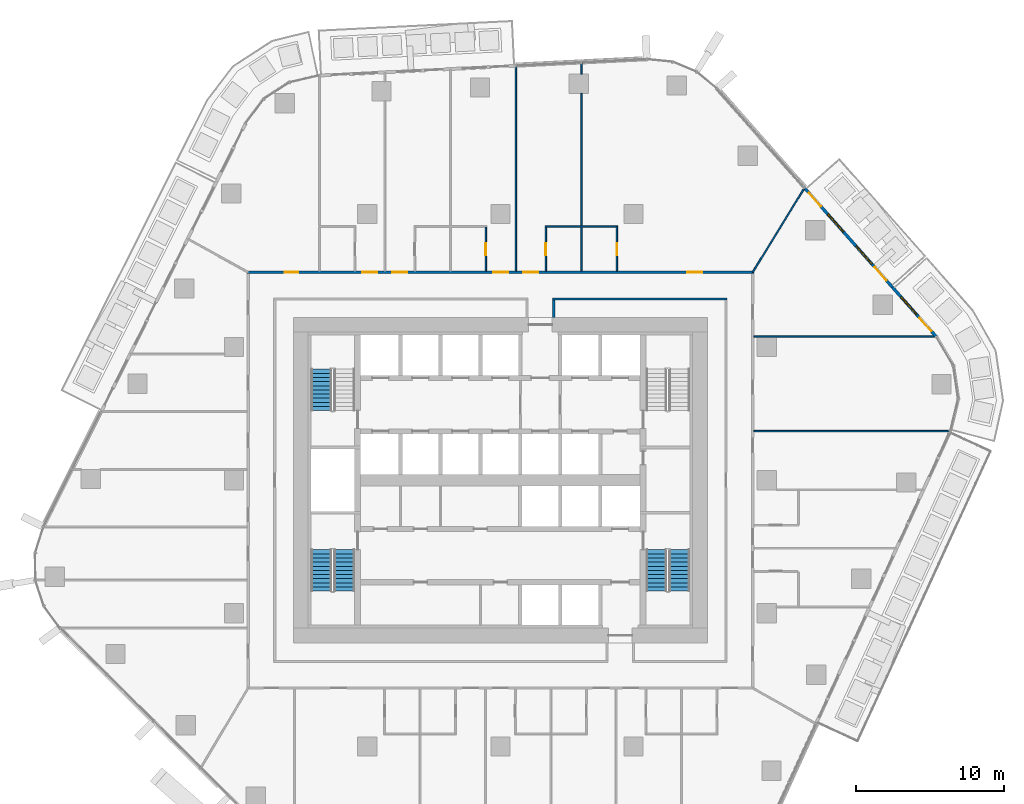
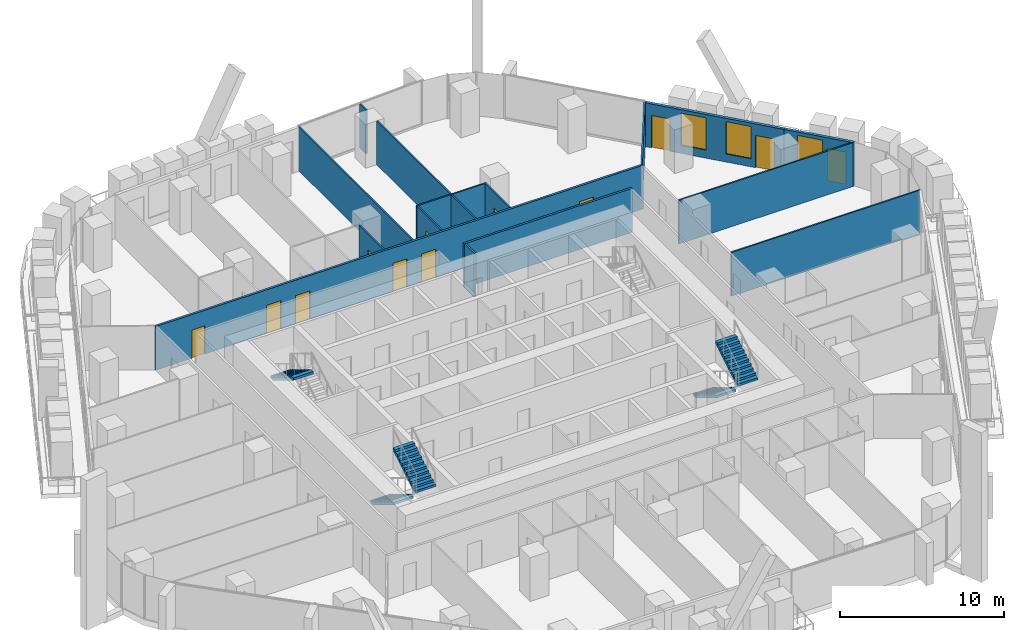
# One storey, part 18 of 26: 16 walls, 12 doors, 5 stair flights, 3 windows, 15 openings, 3 elements without a shape of their own.
"""IFC4 building model written with IfcOpenShell, lengths in metres."""

from ifc_helpers import new_model, si_unit, direction, frame, frame_2d, origin, place, context, subcontext, project, spatial, polyline, rectangle, outline, extrude, material, layer, layer_set, type_object, element, fill, aggregate, save


model = new_model("IFC4")

# Units and contexts
model_context = context("Model", 3, precision=1e-05, world=origin(), true_north=direction((0.0, 1.0)))
body_context = subcontext(model_context, "Body", "Model", "MODEL_VIEW")
ifc_project = project(units=[si_unit("LENGTHUNIT", "METRE"), si_unit("AREAUNIT", "SQUARE_METRE"), si_unit("VOLUMEUNIT", "CUBIC_METRE"), si_unit("PLANEANGLEUNIT", "RADIAN"), si_unit("MASSUNIT", "GRAM", prefix="KILO")], contexts=[model_context])

# Site, building, storey
site_placement = place(None, origin())
site = spatial("IfcSite", under=ifc_project, at=site_placement, CompositionType="ELEMENT")
building_placement = place(site_placement, origin())
building = spatial("IfcBuilding", under=site, at=building_placement, Name="Dongbaek Canopy Tower", CompositionType="ELEMENT")
storey_placement = place(building_placement, frame((0.0, 0.0, 95.199951171875)))
storey = spatial("IfcBuildingStorey", under=building, at=storey_placement, Name="L19", CompositionType="ELEMENT", Elevation=95.199951171875)

# Wall
ifc_material_1 = material(Name="Gypsum board partition, steel stud, 2 x 15 mm fire board", Category="steel")
ifc_layer_1 = layer(ifc_material_1, 0.14990234375)
ifc_layer_set_1 = layer_set([ifc_layer_1], Name="Fire-rated partition 150 gypsum board")
wall_type_1 = type_object("IfcWallType", Name="Fire-rated partition 150 gypsum board", PredefinedType="PARTITIONING", material=ifc_layer_set_1)
wall_1_placement = place(storey_placement, frame((3.52490234375, 12.25, 0.0), z_axis=(0.0, 0.0, 1.0), x_axis=(1.0, 0.0, 0.0)))
element("IfcWall", 1, at=wall_1_placement, inside=storey, type_object=wall_type_1, Name="Corridor partition", PredefinedType="PARTITIONING", context=body_context, shape_type="SweptSolid", body=[
    extrude(rectangle(XDim=11.800048828125, YDim=0.14990234375, at=frame_2d((5.89990234375, 0.0))), origin(), (0.0, 0.0, 1.0), 3.25),
])

# Wall, openings, doors
wall_2_placement = place(storey_placement, frame((-17.125, 14.050048828125, 0.0), z_axis=(0.0, 0.0, 1.0), x_axis=(1.0, 0.0, 0.0)))
wall_2 = element("IfcWall", 2, at=wall_2_placement, inside=storey, type_object=wall_type_1, Name="Corridor partition", PredefinedType="PARTITIONING", context=body_context, shape_type="SweptSolid", body=[
    extrude(rectangle(XDim=34.25, YDim=0.14990234375, at=frame_2d((17.125, 0.0))), origin(), (0.0, 0.0, 1.0), 3.25),
])
opening_1_placement = place(wall_2_placement, frame((29.757080078125, 0.0, 0.0)))
opening_1 = element("IfcOpeningElement", 3, at=opening_1_placement, cuts=wall_2, Name="Opening L19-D026", PredefinedType="OPENING", context=body_context, shape_type="SweptSolid", body=[
    extrude(rectangle(XDim=1.0, YDim=2.10009765625, at=frame_2d((0.5, 1.050048828125))), frame((0.0, 0.0849609375, 0.0), z_axis=(0.0, -1.0, 0.0), x_axis=(1.0, 0.0, 0.0)), (0.0, 0.0, 1.0), 0.169921875),
])
opening_2_placement = place(wall_2_placement, frame((18.68212890625, 0.0, 0.0)))
opening_2 = element("IfcOpeningElement", 4, at=opening_2_placement, cuts=wall_2, Name="Opening L19-D028", PredefinedType="OPENING", context=body_context, shape_type="SweptSolid", body=[
    extrude(rectangle(XDim=1.0, YDim=2.10009765625, at=frame_2d((0.5, 1.050048828125))), frame((0.0, 0.0849609375, 0.0), z_axis=(0.0, -1.0, 0.0), x_axis=(1.0, 0.0, 0.0)), (0.0, 0.0, 1.0), 0.169921875),
])
opening_3_placement = place(wall_2_placement, frame((16.65380859375, 0.0, 0.0)))
opening_3 = element("IfcOpeningElement", 5, at=opening_3_placement, cuts=wall_2, Name="Opening L19-D030", PredefinedType="OPENING", context=body_context, shape_type="SweptSolid", body=[
    extrude(rectangle(XDim=1.0, YDim=2.10009765625, at=frame_2d((0.5, 1.050048828125))), frame((0.0, 0.0849609375, 0.0), z_axis=(0.0, -1.0, 0.0), x_axis=(1.0, 0.0, 0.0)), (0.0, 0.0, 1.0), 0.169921875),
])
opening_4_placement = place(wall_2_placement, frame((9.8271484375, 0.0, 0.0)))
opening_4 = element("IfcOpeningElement", 6, at=opening_4_placement, cuts=wall_2, Name="Opening L19-D032", PredefinedType="OPENING", context=body_context, shape_type="SweptSolid", body=[
    extrude(rectangle(XDim=1.0, YDim=2.10009765625, at=frame_2d((0.5, 1.050048828125))), frame((0.0, 0.0849609375, 0.0), z_axis=(0.0, -1.0, 0.0), x_axis=(1.0, 0.0, 0.0)), (0.0, 0.0, 1.0), 0.169921875),
])
opening_5_placement = place(wall_2_placement, frame((7.80029296875, 0.0, 0.0)))
opening_5 = element("IfcOpeningElement", 7, at=opening_5_placement, cuts=wall_2, Name="Opening L19-D034", PredefinedType="OPENING", context=body_context, shape_type="SweptSolid", body=[
    extrude(rectangle(XDim=1.0, YDim=2.10009765625, at=frame_2d((0.5, 1.050048828125))), frame((0.0, 0.0849609375, 0.0), z_axis=(0.0, -1.0, 0.0), x_axis=(1.0, 0.0, 0.0)), (0.0, 0.0, 1.0), 0.169921875),
])
opening_6_placement = place(wall_2_placement, frame((2.5595703125, 0.0, 0.0)))
opening_6 = element("IfcOpeningElement", 8, at=opening_6_placement, cuts=wall_2, Name="Opening L19-D035", PredefinedType="OPENING", context=body_context, shape_type="SweptSolid", body=[
    extrude(rectangle(XDim=0.89990234375, YDim=2.10009765625, at=frame_2d((0.449951171875, 1.050048828125))), frame((0.0, 0.0849609375, 0.0), z_axis=(0.0, -1.0, 0.0), x_axis=(1.0, 0.0, 0.0)), (0.0, 0.0, 1.0), 0.169921875),
])
ifc_material_2 = material(Name="Timber veneered door leaf", Category="wood")
door_type_1 = type_object("IfcDoorType", Name="Guest room door 1000 x 2100", OperationType="SINGLE_SWING_LEFT", PredefinedType="DOOR", material=ifc_material_2)
door_1_placement = place(opening_1_placement, origin())
door_1 = element("IfcDoor", 9, at=door_1_placement, inside=storey, type_object=door_type_1, Name="Door L19-D026", OperationType="SINGLE_SWING_LEFT", OverallHeight=2.10009765625, OverallWidth=1.0, PredefinedType="DOOR", context=body_context, shape_type="SweptSolid", body=[
    extrude(rectangle(XDim=1.0, YDim=2.10009765625, at=frame_2d((0.5, 1.050048828125))), frame((0.0, 0.02490234375, 0.0), z_axis=(0.0, -1.0, 0.0), x_axis=(1.0, 0.0, 0.0)), (0.0, 0.0, 1.0), 0.050048828125),
])
fill(opening_1, door_1)
door_2_placement = place(opening_2_placement, origin())
door_2 = element("IfcDoor", 10, at=door_2_placement, inside=storey, type_object=door_type_1, Name="Door L19-D028", OperationType="SINGLE_SWING_RIGHT", OverallHeight=2.10009765625, OverallWidth=1.0, PredefinedType="DOOR", context=body_context, shape_type="SweptSolid", body=[
    extrude(rectangle(XDim=1.0, YDim=2.10009765625, at=frame_2d((0.5, 1.050048828125))), frame((0.0, 0.02490234375, 0.0), z_axis=(0.0, -1.0, 0.0), x_axis=(1.0, 0.0, 0.0)), (0.0, 0.0, 1.0), 0.050048828125),
])
fill(opening_2, door_2)
door_3_placement = place(opening_3_placement, origin())
door_3 = element("IfcDoor", 11, at=door_3_placement, inside=storey, type_object=door_type_1, Name="Door L19-D030", OperationType="SINGLE_SWING_LEFT", OverallHeight=2.10009765625, OverallWidth=1.0, PredefinedType="DOOR", context=body_context, shape_type="SweptSolid", body=[
    extrude(rectangle(XDim=1.0, YDim=2.10009765625, at=frame_2d((0.5, 1.050048828125))), frame((0.0, 0.02490234375, 0.0), z_axis=(0.0, -1.0, 0.0), x_axis=(1.0, 0.0, 0.0)), (0.0, 0.0, 1.0), 0.050048828125),
])
fill(opening_3, door_3)
door_4_placement = place(opening_4_placement, origin())
door_4 = element("IfcDoor", 12, at=door_4_placement, inside=storey, type_object=door_type_1, Name="Door L19-D032", OperationType="SINGLE_SWING_RIGHT", OverallHeight=2.10009765625, OverallWidth=1.0, PredefinedType="DOOR", context=body_context, shape_type="SweptSolid", body=[
    extrude(rectangle(XDim=1.0, YDim=2.10009765625, at=frame_2d((0.5, 1.050048828125))), frame((0.0, 0.02490234375, 0.0), z_axis=(0.0, -1.0, 0.0), x_axis=(1.0, 0.0, 0.0)), (0.0, 0.0, 1.0), 0.050048828125),
])
fill(opening_4, door_4)
door_5_placement = place(opening_5_placement, origin())
door_5 = element("IfcDoor", 13, at=door_5_placement, inside=storey, type_object=door_type_1, Name="Door L19-D034", OperationType="SINGLE_SWING_LEFT", OverallHeight=2.10009765625, OverallWidth=1.0, PredefinedType="DOOR", context=body_context, shape_type="SweptSolid", body=[
    extrude(rectangle(XDim=1.0, YDim=2.10009765625, at=frame_2d((0.5, 1.050048828125))), frame((0.0, 0.02490234375, 0.0), z_axis=(0.0, -1.0, 0.0), x_axis=(1.0, 0.0, 0.0)), (0.0, 0.0, 1.0), 0.050048828125),
])
fill(opening_5, door_5)
ifc_material_3 = material(Name="Timber veneered door leaf", Category="wood")
door_type_2 = type_object("IfcDoorType", Name="Room door 900 x 2100", OperationType="SINGLE_SWING_LEFT", PredefinedType="DOOR", material=ifc_material_3)
door_6_placement = place(opening_6_placement, origin())
door_6 = element("IfcDoor", 14, at=door_6_placement, inside=storey, type_object=door_type_2, Name="Door L19-D035", OperationType="SINGLE_SWING_RIGHT", OverallHeight=2.10009765625, OverallWidth=0.89990234375, PredefinedType="DOOR", context=body_context, shape_type="SweptSolid", body=[
    extrude(rectangle(XDim=0.89990234375, YDim=2.10009765625, at=frame_2d((0.449951171875, 1.050048828125))), frame((0.0, 0.02490234375, 0.0), z_axis=(0.0, -1.0, 0.0), x_axis=(1.0, 0.0, 0.0)), (0.0, 0.0, 1.0), 0.050048828125),
])
fill(opening_6, door_6)

# Walls
wall_3_placement = place(storey_placement, frame((3.60009765625, 11.0, 0.0), z_axis=(0.0, 0.0, 1.0), x_axis=(0.0, 1.0, 0.0)))
element("IfcWall", 15, at=wall_3_placement, inside=storey, type_object=wall_type_1, Name="Corridor partition", PredefinedType="PARTITIONING", context=body_context, shape_type="SweptSolid", body=[
    extrude(rectangle(XDim=1.175048828125, YDim=0.14990234375, at=frame_2d((0.58740234375, 0.0))), origin(), (0.0, 0.0, 1.0), 3.25),
])
ifc_material_4 = material(Name="Gypsum board partition, steel stud, 2 x 12.5 mm board", Category="steel")
ifc_layer_2 = layer(ifc_material_4, 0.10009765625)
ifc_layer_set_2 = layer_set([ifc_layer_2], Name="Partition 100 gypsum board")
wall_type_2 = type_object("IfcWallType", Name="Partition 100 gypsum board", PredefinedType="PARTITIONING", material=ifc_layer_set_2)
wall_4_placement = place(storey_placement, frame((17.125, 3.31005859375, 0.0), z_axis=(0.0, 0.0, 1.0), x_axis=(1.0, 0.0, 0.0)))
element("IfcWall", 16, at=wall_4_placement, inside=storey, type_object=wall_type_2, Name="Partition", PredefinedType="PARTITIONING", context=body_context, shape_type="SweptSolid", body=[
    extrude(rectangle(XDim=13.259521484375, YDim=0.10009765625, at=frame_2d((6.6298828125, 0.0))), origin(), (0.0, 0.0, 1.0), 3.25),
])
wall_5_placement = place(storey_placement, frame((17.125, 9.697998046875, 0.0), z_axis=(0.0, 0.0, 1.0), x_axis=(1.0, 0.0, 0.0)))
element("IfcWall", 17, at=wall_5_placement, inside=storey, type_object=wall_type_2, Name="Partition", PredefinedType="PARTITIONING", context=body_context, shape_type="SweptSolid", body=[
    extrude(rectangle(XDim=12.307861328125, YDim=0.10009765625, at=frame_2d((6.15380859375, 0.0))), origin(), (0.0, 0.0, 1.0), 3.25),
])
wall_6_placement = place(storey_placement, frame((3.02197265625, 17.14990234375, 0.0), z_axis=(0.0, 0.0, 1.0), x_axis=(1.0, 0.0, 0.0)))
element("IfcWall", 18, at=wall_6_placement, inside=storey, type_object=wall_type_2, Name="Partition", PredefinedType="PARTITIONING", context=body_context, shape_type="SweptSolid", body=[
    extrude(rectangle(XDim=4.89990234375, YDim=0.10009765625, at=frame_2d((2.449951171875, 0.0))), origin(), (0.0, 0.0, 1.0), 3.25),
])
wall_7_placement = place(storey_placement, frame((17.050048828125, 14.0498046875, 0.0), z_axis=(0.0, 0.0, 1.0), x_axis=(0.523105565691, 0.852267896346, 0.0)))
element("IfcWall", 19, at=wall_7_placement, inside=storey, type_object=wall_type_2, Name="Partition", PredefinedType="PARTITIONING", context=body_context, shape_type="SweptSolid", body=[
    extrude(rectangle(XDim=6.6767578125, YDim=0.10009765625, at=frame_2d((3.33837890625, 0.0))), origin(), (0.0, 0.0, 1.0), 3.25),
])

# Wall, opening, door
wall_8_placement = place(storey_placement, frame((7.8720703125, 14.125, 0.0), z_axis=(0.0, 0.0, 1.0), x_axis=(0.0, 1.0, 0.0)))
wall_8 = element("IfcWall", 20, at=wall_8_placement, inside=storey, type_object=wall_type_2, Name="Partition", PredefinedType="PARTITIONING", context=body_context, shape_type="SweptSolid", body=[
    extrude(rectangle(XDim=3.02490234375, YDim=0.10009765625, at=frame_2d((1.512451171875, 0.0))), origin(), (0.0, 0.0, 1.0), 3.25),
])
opening_7_placement = place(wall_8_placement, frame((1.074951171875, 0.0, 0.0)))
opening_7 = element("IfcOpeningElement", 21, at=opening_7_placement, cuts=wall_8, Name="Opening L19-D025", PredefinedType="OPENING", context=body_context, shape_type="SweptSolid", body=[
    extrude(rectangle(XDim=0.800048828125, YDim=2.10009765625, at=frame_2d((0.39990234375, 1.050048828125))), frame((0.0, 0.06005859375, 0.0), z_axis=(0.0, -1.0, 0.0), x_axis=(1.0, 0.0, 0.0)), (0.0, 0.0, 1.0), 0.1201171875),
])
ifc_material_5 = material(Name="Timber veneered door leaf", Category="wood")
door_type_3 = type_object("IfcDoorType", Name="En-suite door 800 x 2100", OperationType="SINGLE_SWING_LEFT", PredefinedType="DOOR", material=ifc_material_5)
door_7_placement = place(opening_7_placement, origin())
door_7 = element("IfcDoor", 22, at=door_7_placement, inside=storey, type_object=door_type_3, Name="Door L19-D025", OperationType="SINGLE_SWING_RIGHT", OverallHeight=2.10009765625, OverallWidth=0.800048828125, PredefinedType="DOOR", context=body_context, shape_type="SweptSolid", body=[
    extrude(rectangle(XDim=0.800048828125, YDim=2.10009765625, at=frame_2d((0.39990234375, 1.050048828125))), frame((0.0, 0.02490234375, 0.0), z_axis=(0.0, -1.0, 0.0), x_axis=(1.0, 0.0, 0.0)), (0.0, 0.0, 1.0), 0.050048828125),
])
fill(opening_7, door_7)

# Walls
wall_9_placement = place(storey_placement, frame((5.471923828125, 14.125, 0.0), z_axis=(0.0, 0.0, 1.0), x_axis=(0.0, 1.0, 0.0)))
element("IfcWall", 23, at=wall_9_placement, inside=storey, type_object=wall_type_2, Name="Partition", PredefinedType="PARTITIONING", context=body_context, shape_type="SweptSolid", body=[
    extrude(rectangle(XDim=2.97509765625, YDim=0.10009765625, at=frame_2d((1.487548828125, 0.0))), origin(), (0.0, 0.0, 1.0), 3.25),
])
wall_10_placement = place(storey_placement, frame((5.471923828125, 17.199951171875, 0.0), z_axis=(0.0, 0.0, 1.0), x_axis=(0.0, 1.0, 0.0)))
element("IfcWall", 24, at=wall_10_placement, inside=storey, type_object=wall_type_2, Name="Partition", PredefinedType="PARTITIONING", context=body_context, shape_type="SweptSolid", body=[
    extrude(rectangle(XDim=8.947998046875, YDim=0.10009765625, at=frame_2d((4.47412109375, 0.0))), origin(), (0.0, 0.0, 1.0), 3.25),
])
wall_11_placement = place(storey_placement, frame((5.471923828125, 27.447998046875, 0.0), z_axis=(0.0, 0.0, 1.0), x_axis=(0.0, 1.0, 0.0)))
element("IfcWall", 25, at=wall_11_placement, inside=storey, type_object=wall_type_2, Name="Partition", PredefinedType="PARTITIONING", context=body_context, shape_type="SweptSolid", body=[
    extrude(rectangle(XDim=0.76416015625, YDim=0.10009765625, at=frame_2d((0.382080078125, 0.0))), origin(), (0.0, 0.0, 1.0), 3.25),
])

# Wall, opening, door
wall_12_placement = place(storey_placement, frame((3.072021484375, 17.10009765625, 0.0), z_axis=(0.0, 0.0, 1.0), x_axis=(0.0, -1.0, 0.0)))
wall_12 = element("IfcWall", 26, at=wall_12_placement, inside=storey, type_object=wall_type_2, Name="Partition", PredefinedType="PARTITIONING", context=body_context, shape_type="SweptSolid", body=[
    extrude(rectangle(XDim=2.97509765625, YDim=0.10009765625, at=frame_2d((1.487548828125, 0.0))), origin(), (0.0, 0.0, 1.0), 3.25),
])
opening_8_placement = place(wall_12_placement, frame((1.10009765625, 0.0, 0.0)))
opening_8 = element("IfcOpeningElement", 27, at=opening_8_placement, cuts=wall_12, Name="Opening L19-D027", PredefinedType="OPENING", context=body_context, shape_type="SweptSolid", body=[
    extrude(rectangle(XDim=0.800048828125, YDim=2.10009765625, at=frame_2d((0.39990234375, 1.050048828125))), frame((0.0, 0.06005859375, 0.0), z_axis=(0.0, -1.0, 0.0), x_axis=(1.0, 0.0, 0.0)), (0.0, 0.0, 1.0), 0.1201171875),
])
door_8_placement = place(opening_8_placement, origin())
door_8 = element("IfcDoor", 28, at=door_8_placement, inside=storey, type_object=door_type_3, Name="Door L19-D027", OperationType="SINGLE_SWING_LEFT", OverallHeight=2.10009765625, OverallWidth=0.800048828125, PredefinedType="DOOR", context=body_context, shape_type="SweptSolid", body=[
    extrude(rectangle(XDim=0.800048828125, YDim=2.10009765625, at=frame_2d((0.39990234375, 1.050048828125))), frame((0.0, 0.02490234375, 0.0), z_axis=(0.0, -1.0, 0.0), x_axis=(1.0, 0.0, 0.0)), (0.0, 0.0, 1.0), 0.050048828125),
])
fill(opening_8, door_8)

# Wall
wall_13_placement = place(storey_placement, frame((1.0419921875, 14.125, 0.0), z_axis=(0.0, 0.0, 1.0), x_axis=(0.0, 1.0, 0.0)))
element("IfcWall", 29, at=wall_13_placement, inside=storey, type_object=wall_type_2, Name="Partition", PredefinedType="PARTITIONING", context=body_context, shape_type="SweptSolid", body=[
    extrude(rectangle(XDim=13.867431640625, YDim=0.10009765625, at=frame_2d((6.93359375, 0.0))), origin(), (0.0, 0.0, 1.0), 3.25),
])

# Wall, opening, door
wall_14_placement = place(storey_placement, frame((-0.985107421875, 14.125, 0.0), z_axis=(0.0, 0.0, 1.0), x_axis=(0.0, 1.0, 0.0)))
wall_14 = element("IfcWall", 30, at=wall_14_placement, inside=storey, type_object=wall_type_2, Name="Partition", PredefinedType="PARTITIONING", context=body_context, shape_type="SweptSolid", body=[
    extrude(rectangle(XDim=2.97509765625, YDim=0.10009765625, at=frame_2d((1.487548828125, 0.0))), origin(), (0.0, 0.0, 1.0), 3.25),
])
opening_9_placement = place(wall_14_placement, frame((1.074951171875, 0.0, 0.0)))
opening_9 = element("IfcOpeningElement", 31, at=opening_9_placement, cuts=wall_14, Name="Opening L19-D029", PredefinedType="OPENING", context=body_context, shape_type="SweptSolid", body=[
    extrude(rectangle(XDim=0.800048828125, YDim=2.10009765625, at=frame_2d((0.39990234375, 1.050048828125))), frame((0.0, 0.06005859375, 0.0), z_axis=(0.0, -1.0, 0.0), x_axis=(1.0, 0.0, 0.0)), (0.0, 0.0, 1.0), 0.1201171875),
])
door_9_placement = place(opening_9_placement, origin())
door_9 = element("IfcDoor", 32, at=door_9_placement, inside=storey, type_object=door_type_3, Name="Door L19-D029", OperationType="SINGLE_SWING_RIGHT", OverallHeight=2.10009765625, OverallWidth=0.800048828125, PredefinedType="DOOR", context=body_context, shape_type="SweptSolid", body=[
    extrude(rectangle(XDim=0.800048828125, YDim=2.10009765625, at=frame_2d((0.39990234375, 1.050048828125))), frame((0.0, 0.02490234375, 0.0), z_axis=(0.0, -1.0, 0.0), x_axis=(1.0, 0.0, 0.0)), (0.0, 0.0, 1.0), 0.050048828125),
])
fill(opening_9, door_9)

# Wall, openings, doors, windows
ifc_material_6 = material(Name="Aluminium window wall", Category="aluminium")
ifc_layer_3 = layer(ifc_material_6, 0.199951171875)
ifc_layer_set_3 = layer_set([ifc_layer_3], Name="Window wall 200")
wall_type_3 = type_object("IfcWallType", Name="Window wall 200", PredefinedType="SOLIDWALL", material=ifc_layer_set_3)
wall_15_placement = place(storey_placement, frame((26.4951171875, 13.04638671875, 0.0), z_axis=(0.0, 0.0, 1.0), x_axis=(-0.662851206757, 0.748751145376, 0.0)))
wall_15 = element("IfcWall", 33, at=wall_15_placement, inside=storey, type_object=wall_type_3, Name="Window wall L19 1", PredefinedType="SOLIDWALL", context=body_context, shape_type="SweptSolid", body=[
    extrude(rectangle(XDim=8.964111328125, YDim=0.199951171875, at=frame_2d((4.48193359375, 0.0))), origin(), (0.0, 0.0, 1.0), 3.25),
])
opening_10_placement = place(wall_15_placement, frame((2.10009765625, 0.0, 0.60009765625)))
opening_10 = element("IfcOpeningElement", 34, at=opening_10_placement, cuts=wall_15, Name="Opening W1", PredefinedType="OPENING", context=body_context, shape_type="SweptSolid", body=[
    extrude(rectangle(XDim=1.60009765625, YDim=2.39990234375, at=frame_2d((0.800048828125, 1.199951171875))), frame((0.0, 0.10986328125, 0.0), z_axis=(0.0, -1.0, 0.0), x_axis=(1.0, 0.0, 0.0)), (0.0, 0.0, 1.0), 0.219970703125),
])
opening_11_placement = place(wall_15_placement, frame((0.60009765625, 0.0, 0.0)))
opening_11 = element("IfcOpeningElement", 35, at=opening_11_placement, cuts=wall_15, Name="Opening L19-B01", PredefinedType="OPENING", context=body_context, shape_type="SweptSolid", body=[
    extrude(rectangle(XDim=1.199951171875, YDim=2.39990234375, at=frame_2d((0.60009765625, 1.199951171875))), frame((0.0, 0.10986328125, 0.0), z_axis=(0.0, -1.0, 0.0), x_axis=(1.0, 0.0, 0.0)), (0.0, 0.0, 1.0), 0.219970703125),
])
opening_12_placement = place(wall_15_placement, frame((4.98193359375, 0.0, 0.60009765625)))
opening_12 = element("IfcOpeningElement", 36, at=opening_12_placement, cuts=wall_15, Name="Opening W1", PredefinedType="OPENING", context=body_context, shape_type="SweptSolid", body=[
    extrude(rectangle(XDim=1.60009765625, YDim=2.39990234375, at=frame_2d((0.800048828125, 1.199951171875))), frame((0.0, 0.10986328125, 0.0), z_axis=(0.0, -1.0, 0.0), x_axis=(1.0, 0.0, 0.0)), (0.0, 0.0, 1.0), 0.219970703125),
])
opening_13_placement = place(wall_15_placement, frame((7.281982421875, 0.0, 0.0)))
opening_13 = element("IfcOpeningElement", 37, at=opening_13_placement, cuts=wall_15, Name="Opening L19-B02", PredefinedType="OPENING", context=body_context, shape_type="SweptSolid", body=[
    extrude(rectangle(XDim=1.199951171875, YDim=2.39990234375, at=frame_2d((0.60009765625, 1.199951171875))), frame((0.0, 0.10986328125, 0.0), z_axis=(0.0, -1.0, 0.0), x_axis=(1.0, 0.0, 0.0)), (0.0, 0.0, 1.0), 0.219970703125),
])
ifc_material_7 = material(Name="Clear glazing in aluminium frame", Category="aluminium")
door_type_4 = type_object("IfcDoorType", Name="Balcony door BD1 1200 x 2400", OperationType="SLIDING_TO_LEFT", PredefinedType="DOOR", material=ifc_material_7)
door_10_placement = place(opening_11_placement, origin())
door_10 = element("IfcDoor", 38, at=door_10_placement, inside=storey, type_object=door_type_4, Name="Balcony door L19-B01", OperationType="SLIDING_TO_LEFT", OverallHeight=2.39990234375, OverallWidth=1.199951171875, PredefinedType="DOOR", context=body_context, shape_type="SweptSolid", body=[
    extrude(rectangle(XDim=1.199951171875, YDim=2.39990234375, at=frame_2d((0.60009765625, 1.199951171875))), frame((0.0, 0.02490234375, 0.0), z_axis=(0.0, -1.0, 0.0), x_axis=(1.0, 0.0, 0.0)), (0.0, 0.0, 1.0), 0.050048828125),
])
fill(opening_11, door_10)
door_11_placement = place(opening_13_placement, origin())
door_11 = element("IfcDoor", 39, at=door_11_placement, inside=storey, type_object=door_type_4, Name="Balcony door L19-B02", OperationType="SLIDING_TO_LEFT", OverallHeight=2.39990234375, OverallWidth=1.199951171875, PredefinedType="DOOR", context=body_context, shape_type="SweptSolid", body=[
    extrude(rectangle(XDim=1.199951171875, YDim=2.39990234375, at=frame_2d((0.60009765625, 1.199951171875))), frame((0.0, 0.02490234375, 0.0), z_axis=(0.0, -1.0, 0.0), x_axis=(1.0, 0.0, 0.0)), (0.0, 0.0, 1.0), 0.050048828125),
])
fill(opening_13, door_11)
ifc_material_8 = material(Name="Clear glazing in aluminium frame", Category="aluminium")
window_type = type_object("IfcWindowType", Name="Window W1 1600 x 2400", PartitioningType="SINGLE_PANEL", PredefinedType="WINDOW", material=ifc_material_8)
window_1_placement = place(opening_10_placement, origin())
window_1 = element("IfcWindow", 40, at=window_1_placement, inside=storey, type_object=window_type, Name="Window L19 1.1", OverallHeight=2.39990234375, OverallWidth=1.60009765625, PartitioningType="SINGLE_PANEL", PredefinedType="WINDOW", context=body_context, shape_type="SweptSolid", body=[
    extrude(rectangle(XDim=1.60009765625, YDim=2.39990234375, at=frame_2d((0.800048828125, 1.199951171875))), frame((0.0, 0.030029296875, 0.0), z_axis=(0.0, -1.0, 0.0), x_axis=(1.0, 0.0, 0.0)), (0.0, 0.0, 1.0), 0.06005859375),
])
fill(opening_10, window_1)
window_2_placement = place(opening_12_placement, origin())
window_2 = element("IfcWindow", 41, at=window_2_placement, inside=storey, type_object=window_type, Name="Window L19 1.2", OverallHeight=2.39990234375, OverallWidth=1.60009765625, PartitioningType="SINGLE_PANEL", PredefinedType="WINDOW", context=body_context, shape_type="SweptSolid", body=[
    extrude(rectangle(XDim=1.60009765625, YDim=2.39990234375, at=frame_2d((0.800048828125, 1.199951171875))), frame((0.0, 0.030029296875, 0.0), z_axis=(0.0, -1.0, 0.0), x_axis=(1.0, 0.0, 0.0)), (0.0, 0.0, 1.0), 0.06005859375),
])
fill(opening_12, window_2)

# Wall, openings, door, window
wall_16_placement = place(storey_placement, frame((29.459716796875, 9.69775390625, 0.0), z_axis=(0.0, 0.0, 1.0), x_axis=(-0.662868291848, 0.748736020011, 0.0)))
wall_16 = element("IfcWall", 42, at=wall_16_placement, inside=storey, type_object=wall_type_3, Name="Window wall L19 6", PredefinedType="SOLIDWALL", context=body_context, shape_type="SweptSolid", body=[
    extrude(rectangle(XDim=4.472412109375, YDim=0.199951171875, at=frame_2d((2.236328125, 0.0))), origin(), (0.0, 0.0, 1.0), 3.25),
])
opening_14_placement = place(wall_16_placement, frame((2.0, 0.0, 0.60009765625)))
opening_14 = element("IfcOpeningElement", 43, at=opening_14_placement, cuts=wall_16, Name="Opening W1", PredefinedType="OPENING", context=body_context, shape_type="SweptSolid", body=[
    extrude(rectangle(XDim=1.60009765625, YDim=2.39990234375, at=frame_2d((0.800048828125, 1.199951171875))), frame((0.0, 0.10986328125, 0.0), z_axis=(0.0, -1.0, 0.0), x_axis=(1.0, 0.0, 0.0)), (0.0, 0.0, 1.0), 0.219970703125),
])
opening_15_placement = place(wall_16_placement, frame((0.5, 0.0, 0.0)))
opening_15 = element("IfcOpeningElement", 44, at=opening_15_placement, cuts=wall_16, Name="Opening L19-B03", PredefinedType="OPENING", context=body_context, shape_type="SweptSolid", body=[
    extrude(rectangle(XDim=1.199951171875, YDim=2.39990234375, at=frame_2d((0.60009765625, 1.199951171875))), frame((0.0, 0.10986328125, 0.0), z_axis=(0.0, -1.0, 0.0), x_axis=(1.0, 0.0, 0.0)), (0.0, 0.0, 1.0), 0.219970703125),
])
door_12_placement = place(opening_15_placement, origin())
door_12 = element("IfcDoor", 45, at=door_12_placement, inside=storey, type_object=door_type_4, Name="Balcony door L19-B03", OperationType="SLIDING_TO_LEFT", OverallHeight=2.39990234375, OverallWidth=1.199951171875, PredefinedType="DOOR", context=body_context, shape_type="SweptSolid", body=[
    extrude(rectangle(XDim=1.199951171875, YDim=2.39990234375, at=frame_2d((0.60009765625, 1.199951171875))), frame((0.0, 0.02490234375, 0.0), z_axis=(0.0, -1.0, 0.0), x_axis=(1.0, 0.0, 0.0)), (0.0, 0.0, 1.0), 0.050048828125),
])
fill(opening_15, door_12)
window_3_placement = place(opening_14_placement, origin())
window_3 = element("IfcWindow", 46, at=window_3_placement, inside=storey, type_object=window_type, Name="Window L19 6.1", OverallHeight=2.39990234375, OverallWidth=1.60009765625, PartitioningType="SINGLE_PANEL", PredefinedType="WINDOW", context=body_context, shape_type="SweptSolid", body=[
    extrude(rectangle(XDim=1.60009765625, YDim=2.39990234375, at=frame_2d((0.800048828125, 1.199951171875))), frame((0.0, 0.030029296875, 0.0), z_axis=(0.0, -1.0, 0.0), x_axis=(1.0, 0.0, 0.0)), (0.0, 0.0, 1.0), 0.06005859375),
])
fill(opening_14, window_3)

# Stair, stair flight
ifc_material_9 = material(Name="Concrete C40/50", Category="concrete")
stair_type = type_object("IfcStairType", Name="Core exit stair", PredefinedType="HALF_TURN_STAIR", material=ifc_material_9)
stair_1_placement = place(storey_placement, origin())
stair_1 = element("IfcStair", 47, at=stair_1_placement, inside=storey, type_object=stair_type, Name="L19 exit stair C", PredefinedType="HALF_TURN_STAIR")
ifc_material_10 = material(Name="Concrete C40/50", Category="concrete")
ifc_layer_4 = layer(ifc_material_10, 0.14990234375)
ifc_layer_set_4 = layer_set([ifc_layer_4], Name="Core stair flight 150 waist")
stair_flight_type = type_object("IfcStairFlightType", Name="Core stair flight 150 waist", PredefinedType="STRAIGHT", material=ifc_layer_set_4)
stair_flight_1_placement = place(storey_placement, frame((-12.10009765625, 7.5, 1.85009765625), z_axis=(0.0, 0.0, 1.0), x_axis=(0.0, -1.0, 0.0)))
stair_flight_1 = element("IfcStairFlight", 48, at=stair_flight_1_placement, type_object=stair_flight_type, Name="ST-C flight 2", NumberOfRisers=11, NumberOfTreads=10, PredefinedType="STRAIGHT", RiserHeight=0.168181818, TreadLength=0.28, context=body_context, shape_type="SweptSolid", body=[
    extrude(outline(polyline([(0.0, 0.0), (0.0, 0.168212890625), (0.280029296875, 0.168212890625), (0.280029296875, 0.33642578125), (0.56005859375, 0.33642578125), (0.56005859375, 0.504638671875), (0.840087890625, 0.504638671875), (0.840087890625, 0.672607421875), (1.1201171875, 0.672607421875), (1.1201171875, 0.8408203125), (1.39990234375, 0.8408203125), (1.39990234375, 1.009033203125), (1.679931640625, 1.009033203125), (1.679931640625, 1.17724609375), (1.9599609375, 1.17724609375), (1.9599609375, 1.345458984375), (2.239990234375, 1.345458984375), (2.239990234375, 1.513671875), (2.52001953125, 1.513671875), (2.52001953125, 1.681884765625), (2.800048828125, 1.681884765625), (2.800048828125, 1.85009765625), (2.800048828125, 1.5068359375), (0.291015625, 0.0), (0.0, 0.0)])), frame((0.0, 0.699951171875, 0.0), z_axis=(0.0, -1.0, 0.0), x_axis=(1.0, 0.0, 0.0)), (0.0, 0.0, 1.0), 1.39990234375),
])
aggregate(stair_1, [stair_flight_1])

# Stair, stair flights
stair_2_placement = place(storey_placement, origin())
stair_2 = element("IfcStair", 49, at=stair_2_placement, inside=storey, type_object=stair_type, Name="L19 exit stair B", PredefinedType="HALF_TURN_STAIR")
stair_flight_2_placement = place(storey_placement, frame((10.550048828125, -4.699951171875, 0.0), z_axis=(0.0, 0.0, 1.0), x_axis=(0.0, -1.0, 0.0)))
stair_flight_2 = element("IfcStairFlight", 50, at=stair_flight_2_placement, type_object=stair_flight_type, Name="ST-B flight 1", NumberOfRisers=11, NumberOfTreads=10, PredefinedType="STRAIGHT", RiserHeight=0.168181818, TreadLength=0.28, context=body_context, shape_type="SweptSolid", body=[
    extrude(outline(polyline([(0.0, 0.0), (0.0, 0.168212890625), (0.280029296875, 0.168212890625), (0.280029296875, 0.33642578125), (0.56005859375, 0.33642578125), (0.56005859375, 0.504638671875), (0.840087890625, 0.504638671875), (0.840087890625, 0.672607421875), (1.1201171875, 0.672607421875), (1.1201171875, 0.8408203125), (1.39990234375, 0.8408203125), (1.39990234375, 1.009033203125), (1.679931640625, 1.009033203125), (1.679931640625, 1.17724609375), (1.9599609375, 1.17724609375), (1.9599609375, 1.345458984375), (2.239990234375, 1.345458984375), (2.239990234375, 1.513671875), (2.52001953125, 1.513671875), (2.52001953125, 1.681884765625), (2.800048828125, 1.681884765625), (2.800048828125, 1.85009765625), (2.800048828125, 1.5068359375), (0.291015625, 0.0), (0.0, 0.0)])), frame((0.0, 0.699951171875, 0.0), z_axis=(0.0, -1.0, 0.0), x_axis=(1.0, 0.0, 0.0)), (0.0, 0.0, 1.0), 1.39990234375),
])
stair_flight_3_placement = place(storey_placement, frame((12.10009765625, -7.5, 1.85009765625), z_axis=(0.0, 0.0, 1.0), x_axis=(0.0, 1.0, 0.0)))
stair_flight_3 = element("IfcStairFlight", 51, at=stair_flight_3_placement, type_object=stair_flight_type, Name="ST-B flight 2", NumberOfRisers=11, NumberOfTreads=10, PredefinedType="STRAIGHT", RiserHeight=0.168181818, TreadLength=0.28, context=body_context, shape_type="SweptSolid", body=[
    extrude(outline(polyline([(0.0, 0.0), (0.0, 0.168212890625), (0.280029296875, 0.168212890625), (0.280029296875, 0.33642578125), (0.56005859375, 0.33642578125), (0.56005859375, 0.504638671875), (0.840087890625, 0.504638671875), (0.840087890625, 0.672607421875), (1.1201171875, 0.672607421875), (1.1201171875, 0.8408203125), (1.39990234375, 0.8408203125), (1.39990234375, 1.009033203125), (1.679931640625, 1.009033203125), (1.679931640625, 1.17724609375), (1.9599609375, 1.17724609375), (1.9599609375, 1.345458984375), (2.239990234375, 1.345458984375), (2.239990234375, 1.513671875), (2.52001953125, 1.513671875), (2.52001953125, 1.681884765625), (2.800048828125, 1.681884765625), (2.800048828125, 1.85009765625), (2.800048828125, 1.5068359375), (0.291015625, 0.0), (0.0, 0.0)])), frame((0.0, 0.699951171875, 0.0), z_axis=(0.0, -1.0, 0.0), x_axis=(1.0, 0.0, 0.0)), (0.0, 0.0, 1.0), 1.39990234375),
])
aggregate(stair_2, [stair_flight_2, stair_flight_3])

stair_3_placement = place(storey_placement, origin())
stair_3 = element("IfcStair", 52, at=stair_3_placement, inside=storey, type_object=stair_type, Name="L19 exit stair D", PredefinedType="HALF_TURN_STAIR")
stair_flight_4_placement = place(storey_placement, frame((-12.10009765625, -4.699951171875, 0.0), z_axis=(0.0, 0.0, 1.0), x_axis=(0.0, -1.0, 0.0)))
stair_flight_4 = element("IfcStairFlight", 53, at=stair_flight_4_placement, type_object=stair_flight_type, Name="ST-D flight 1", NumberOfRisers=11, NumberOfTreads=10, PredefinedType="STRAIGHT", RiserHeight=0.168181818, TreadLength=0.28, context=body_context, shape_type="SweptSolid", body=[
    extrude(outline(polyline([(0.0, 0.0), (0.0, 0.168212890625), (0.280029296875, 0.168212890625), (0.280029296875, 0.33642578125), (0.56005859375, 0.33642578125), (0.56005859375, 0.504638671875), (0.840087890625, 0.504638671875), (0.840087890625, 0.672607421875), (1.1201171875, 0.672607421875), (1.1201171875, 0.8408203125), (1.39990234375, 0.8408203125), (1.39990234375, 1.009033203125), (1.679931640625, 1.009033203125), (1.679931640625, 1.17724609375), (1.9599609375, 1.17724609375), (1.9599609375, 1.345458984375), (2.239990234375, 1.345458984375), (2.239990234375, 1.513671875), (2.52001953125, 1.513671875), (2.52001953125, 1.681884765625), (2.800048828125, 1.681884765625), (2.800048828125, 1.85009765625), (2.800048828125, 1.5068359375), (0.291015625, 0.0), (0.0, 0.0)])), frame((0.0, 0.699951171875, 0.0), z_axis=(0.0, -1.0, 0.0), x_axis=(1.0, 0.0, 0.0)), (0.0, 0.0, 1.0), 1.39990234375),
])
stair_flight_5_placement = place(storey_placement, frame((-10.550048828125, -7.5, 1.85009765625), z_axis=(0.0, 0.0, 1.0), x_axis=(0.0, 1.0, 0.0)))
stair_flight_5 = element("IfcStairFlight", 54, at=stair_flight_5_placement, type_object=stair_flight_type, Name="ST-D flight 2", NumberOfRisers=11, NumberOfTreads=10, PredefinedType="STRAIGHT", RiserHeight=0.168181818, TreadLength=0.28, context=body_context, shape_type="SweptSolid", body=[
    extrude(outline(polyline([(0.0, 0.0), (0.0, 0.168212890625), (0.280029296875, 0.168212890625), (0.280029296875, 0.33642578125), (0.56005859375, 0.33642578125), (0.56005859375, 0.504638671875), (0.840087890625, 0.504638671875), (0.840087890625, 0.672607421875), (1.1201171875, 0.672607421875), (1.1201171875, 0.8408203125), (1.39990234375, 0.8408203125), (1.39990234375, 1.009033203125), (1.679931640625, 1.009033203125), (1.679931640625, 1.17724609375), (1.9599609375, 1.17724609375), (1.9599609375, 1.345458984375), (2.239990234375, 1.345458984375), (2.239990234375, 1.513671875), (2.52001953125, 1.513671875), (2.52001953125, 1.681884765625), (2.800048828125, 1.681884765625), (2.800048828125, 1.85009765625), (2.800048828125, 1.5068359375), (0.291015625, 0.0), (0.0, 0.0)])), frame((0.0, 0.699951171875, 0.0), z_axis=(0.0, -1.0, 0.0), x_axis=(1.0, 0.0, 0.0)), (0.0, 0.0, 1.0), 1.39990234375),
])
aggregate(stair_3, [stair_flight_4, stair_flight_5])

save(model, "model.ifc")
